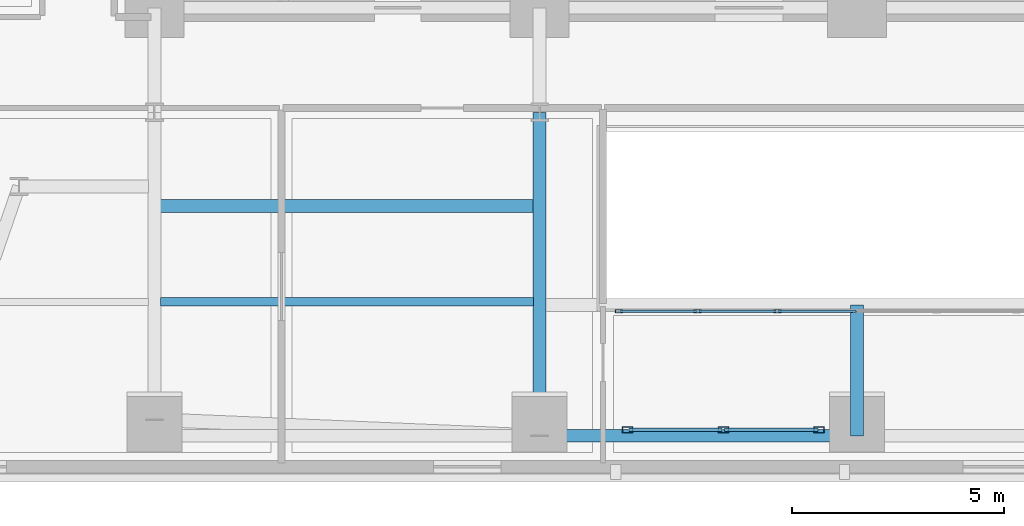
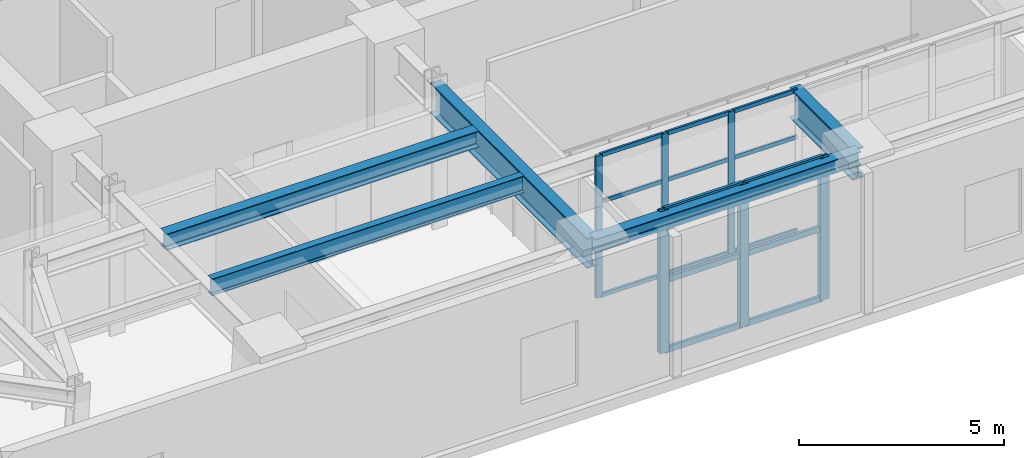
# One storey, part 2 of 14: 24 members, 5 beams, 2 elements without a shape of their own.
"""IFC4 building model written with IfcOpenShell, lengths in metres."""

from ifc_helpers import new_model, si_unit, direction, frame, origin, origin_2d, place, context, subcontext, project, spatial, hollow_rectangle, i_section, extrude, material, layer, layer_set, material_profile, profile_set, type_object, element, aggregate, save


model = new_model("IFC4")

# Units and contexts
model_context = context("Model", 3, precision=1e-05, world=origin(), true_north=direction((0.0, 1.0)))
body_context = subcontext(model_context, "Body", "Model", "MODEL_VIEW")
ifc_project = project(units=[si_unit("LENGTHUNIT", "METRE"), si_unit("AREAUNIT", "SQUARE_METRE"), si_unit("VOLUMEUNIT", "CUBIC_METRE"), si_unit("PLANEANGLEUNIT", "RADIAN"), si_unit("MASSUNIT", "GRAM", prefix="KILO")], contexts=[model_context])

# Site, building, storey
site_placement = place(None, origin())
site = spatial("IfcSite", under=ifc_project, at=site_placement, CompositionType="ELEMENT")
building_placement = place(site_placement, origin())
building = spatial("IfcBuilding", under=site, at=building_placement, Name="Zarnavel Station Tower", CompositionType="ELEMENT")
storey_placement = place(building_placement, frame((0.0, 0.0, 89.800048828125)))
storey = spatial("IfcBuildingStorey", under=building, at=storey_placement, Name="L24", CompositionType="ELEMENT", Elevation=89.800048828125)

# Curtain wall, members
ifc_material_1 = material(Name="Aluminium Dark Anodised and Solar-Control Glass", Category="aluminium")
ifc_layer_1 = layer(ifc_material_1, 0.179931640625)
ifc_layer_set_1 = layer_set([ifc_layer_1], Name="CWS3")
curtain_wall_type_1 = type_object("IfcCurtainWallType", Name="CWS3", PredefinedType="NOTDEFINED", material=ifc_layer_set_1)
curtain_wall_1_placement = place(storey_placement, origin())
curtain_wall_1 = element("IfcCurtainWall", 1, at=curtain_wall_1_placement, inside=storey, type_object=curtain_wall_type_1, Name="L24 Curtain Wall CWS3-L24-AS", PredefinedType="NOTDEFINED")
ifc_material_2 = material(Name="Steel S355J2 (Black Fluoropolymer Coated)", Category="steel")
ifc_material_profile_1 = material_profile(ifc_material_2, hollow_rectangle(XDim=0.080078125, YDim=0.179931640625, WallThickness=0.00634765625, at=origin_2d()), Name="RHS180x80x6.3")
ifc_profile_set_1 = profile_set([ifc_material_profile_1], Name="Steel S355J2 (Black Fluoropolymer Coated)")
member_type_1 = type_object("IfcMemberType", Name="CWS3_MUL", PredefinedType="MULLION", material=ifc_profile_set_1)
member_1_placement = place(storey_placement, frame((23.179931640625, 20.64990234375, 0.0), z_axis=(0.0, 0.0, 1.0), x_axis=(0.0, 1.0, 0.0)))
member_1 = element("IfcMember", 2, at=member_1_placement, type_object=member_type_1, Name="CW3 mullion 1", PredefinedType="MULLION", context=body_context, shape_type="SweptSolid", body=[
    extrude(hollow_rectangle(XDim=0.080078125, YDim=0.179931640625, WallThickness=0.00634765625, at=origin_2d()), origin(), (0.0, 0.0, 1.0), 4.239990234375),
])
member_2_placement = place(storey_placement, frame((25.033447265625, 20.64990234375, 0.0), z_axis=(0.0, 0.0, 1.0), x_axis=(0.0, 1.0, 0.0)))
member_2 = element("IfcMember", 3, at=member_2_placement, type_object=member_type_1, Name="CW3 mullion 2", PredefinedType="MULLION", context=body_context, shape_type="SweptSolid", body=[
    extrude(hollow_rectangle(XDim=0.080078125, YDim=0.179931640625, WallThickness=0.00634765625, at=origin_2d()), origin(), (0.0, 0.0, 1.0), 4.239990234375),
])
member_3_placement = place(storey_placement, frame((26.916748046875, 20.64990234375, 0.0), z_axis=(0.0, 0.0, 1.0), x_axis=(0.0, 1.0, 0.0)))
member_3 = element("IfcMember", 4, at=member_3_placement, type_object=member_type_1, Name="CW3 mullion 3", PredefinedType="MULLION", context=body_context, shape_type="SweptSolid", body=[
    extrude(hollow_rectangle(XDim=0.080078125, YDim=0.179931640625, WallThickness=0.00634765625, at=origin_2d()), origin(), (0.0, 0.0, 1.0), 4.239990234375),
])
ifc_material_3 = material(Name="Steel S355J2 (Black Fluoropolymer Coated)", Category="steel")
ifc_material_profile_2 = material_profile(ifc_material_3, hollow_rectangle(XDim=0.06005859375, YDim=0.1201171875, WallThickness=0.0048828125, at=origin_2d()), Name="RHS120x60x5")
ifc_profile_set_2 = profile_set([ifc_material_profile_2], Name="Steel S355J2 (Black Fluoropolymer Coated)")
member_type_2 = type_object("IfcMemberType", Name="CWS3_TRN", PredefinedType="USERDEFINED", material=ifc_profile_set_2)
member_4_placement = place(storey_placement, frame((23.2099609375, 20.64990234375, 0.030029296875), z_axis=(1.0, 0.0, 0.0), x_axis=(0.0, 1.0, 0.0)))
member_4 = element("IfcMember", 5, at=member_4_placement, type_object=member_type_2, Name="CW3 transom 1.1", ObjectType="TRANSOM", PredefinedType="USERDEFINED", context=body_context, shape_type="SweptSolid", body=[
    extrude(hollow_rectangle(XDim=0.06005859375, YDim=0.1201171875, WallThickness=0.0048828125, at=origin_2d()), origin(), (0.0, 0.0, 1.0), 1.79345703125),
])
member_5_placement = place(storey_placement, frame((23.2099609375, 20.64990234375, 1.413330078125), z_axis=(1.0, 0.0, 0.0), x_axis=(0.0, 1.0, 0.0)))
member_5 = element("IfcMember", 6, at=member_5_placement, type_object=member_type_2, Name="CW3 transom 1.2", ObjectType="TRANSOM", PredefinedType="USERDEFINED", context=body_context, shape_type="SweptSolid", body=[
    extrude(hollow_rectangle(XDim=0.06005859375, YDim=0.1201171875, WallThickness=0.0048828125, at=origin_2d()), origin(), (0.0, 0.0, 1.0), 1.79345703125),
])
member_6_placement = place(storey_placement, frame((23.2099609375, 20.64990234375, 2.82666015625), z_axis=(1.0, 0.0, 0.0), x_axis=(0.0, 1.0, 0.0)))
member_6 = element("IfcMember", 7, at=member_6_placement, type_object=member_type_2, Name="CW3 transom 1.3", ObjectType="TRANSOM", PredefinedType="USERDEFINED", context=body_context, shape_type="SweptSolid", body=[
    extrude(hollow_rectangle(XDim=0.06005859375, YDim=0.1201171875, WallThickness=0.0048828125, at=origin_2d()), origin(), (0.0, 0.0, 1.0), 1.79345703125),
])
member_7_placement = place(storey_placement, frame((23.2099609375, 20.64990234375, 4.2099609375), z_axis=(1.0, 0.0, 0.0), x_axis=(0.0, 1.0, 0.0)))
member_7 = element("IfcMember", 8, at=member_7_placement, type_object=member_type_2, Name="CW3 transom 1.4", ObjectType="TRANSOM", PredefinedType="USERDEFINED", context=body_context, shape_type="SweptSolid", body=[
    extrude(hollow_rectangle(XDim=0.06005859375, YDim=0.1201171875, WallThickness=0.0048828125, at=origin_2d()), origin(), (0.0, 0.0, 1.0), 1.79345703125),
])
member_8_placement = place(storey_placement, frame((25.063232421875, 20.64990234375, 0.030029296875), z_axis=(1.0, 0.0, 0.0), x_axis=(0.0, 1.0, 0.0)))
member_8 = element("IfcMember", 9, at=member_8_placement, type_object=member_type_2, Name="CW3 transom 2.1", ObjectType="TRANSOM", PredefinedType="USERDEFINED", context=body_context, shape_type="SweptSolid", body=[
    extrude(hollow_rectangle(XDim=0.06005859375, YDim=0.1201171875, WallThickness=0.0048828125, at=origin_2d()), origin(), (0.0, 0.0, 1.0), 1.823486328125),
])
member_9_placement = place(storey_placement, frame((25.063232421875, 20.64990234375, 1.413330078125), z_axis=(1.0, 0.0, 0.0), x_axis=(0.0, 1.0, 0.0)))
member_9 = element("IfcMember", 10, at=member_9_placement, type_object=member_type_2, Name="CW3 transom 2.2", ObjectType="TRANSOM", PredefinedType="USERDEFINED", context=body_context, shape_type="SweptSolid", body=[
    extrude(hollow_rectangle(XDim=0.06005859375, YDim=0.1201171875, WallThickness=0.0048828125, at=origin_2d()), origin(), (0.0, 0.0, 1.0), 1.823486328125),
])
member_10_placement = place(storey_placement, frame((25.063232421875, 20.64990234375, 2.82666015625), z_axis=(1.0, 0.0, 0.0), x_axis=(0.0, 1.0, 0.0)))
member_10 = element("IfcMember", 11, at=member_10_placement, type_object=member_type_2, Name="CW3 transom 2.3", ObjectType="TRANSOM", PredefinedType="USERDEFINED", context=body_context, shape_type="SweptSolid", body=[
    extrude(hollow_rectangle(XDim=0.06005859375, YDim=0.1201171875, WallThickness=0.0048828125, at=origin_2d()), origin(), (0.0, 0.0, 1.0), 1.823486328125),
])
member_11_placement = place(storey_placement, frame((25.063232421875, 20.64990234375, 4.2099609375), z_axis=(1.0, 0.0, 0.0), x_axis=(0.0, 1.0, 0.0)))
member_11 = element("IfcMember", 12, at=member_11_placement, type_object=member_type_2, Name="CW3 transom 2.4", ObjectType="TRANSOM", PredefinedType="USERDEFINED", context=body_context, shape_type="SweptSolid", body=[
    extrude(hollow_rectangle(XDim=0.06005859375, YDim=0.1201171875, WallThickness=0.0048828125, at=origin_2d()), origin(), (0.0, 0.0, 1.0), 1.823486328125),
])
member_12_placement = place(storey_placement, frame((26.94677734375, 20.64990234375, 0.030029296875), z_axis=(1.0, 0.0, 0.0), x_axis=(0.0, 1.0, 0.0)))
member_12 = element("IfcMember", 13, at=member_12_placement, type_object=member_type_2, Name="CW3 transom 3.1", ObjectType="TRANSOM", PredefinedType="USERDEFINED", context=body_context, shape_type="SweptSolid", body=[
    extrude(hollow_rectangle(XDim=0.06005859375, YDim=0.1201171875, WallThickness=0.0048828125, at=origin_2d()), origin(), (0.0, 0.0, 1.0), 1.8232421875),
])
member_13_placement = place(storey_placement, frame((26.94677734375, 20.64990234375, 1.413330078125), z_axis=(1.0, 0.0, 0.0), x_axis=(0.0, 1.0, 0.0)))
member_13 = element("IfcMember", 14, at=member_13_placement, type_object=member_type_2, Name="CW3 transom 3.2", ObjectType="TRANSOM", PredefinedType="USERDEFINED", context=body_context, shape_type="SweptSolid", body=[
    extrude(hollow_rectangle(XDim=0.06005859375, YDim=0.1201171875, WallThickness=0.0048828125, at=origin_2d()), origin(), (0.0, 0.0, 1.0), 1.8232421875),
])
member_14_placement = place(storey_placement, frame((26.94677734375, 20.64990234375, 2.82666015625), z_axis=(1.0, 0.0, 0.0), x_axis=(0.0, 1.0, 0.0)))
member_14 = element("IfcMember", 15, at=member_14_placement, type_object=member_type_2, Name="CW3 transom 3.3", ObjectType="TRANSOM", PredefinedType="USERDEFINED", context=body_context, shape_type="SweptSolid", body=[
    extrude(hollow_rectangle(XDim=0.06005859375, YDim=0.1201171875, WallThickness=0.0048828125, at=origin_2d()), origin(), (0.0, 0.0, 1.0), 1.8232421875),
])
member_15_placement = place(storey_placement, frame((26.94677734375, 20.64990234375, 4.2099609375), z_axis=(1.0, 0.0, 0.0), x_axis=(0.0, 1.0, 0.0)))
member_15 = element("IfcMember", 16, at=member_15_placement, type_object=member_type_2, Name="CW3 transom 3.4", ObjectType="TRANSOM", PredefinedType="USERDEFINED", context=body_context, shape_type="SweptSolid", body=[
    extrude(hollow_rectangle(XDim=0.06005859375, YDim=0.1201171875, WallThickness=0.0048828125, at=origin_2d()), origin(), (0.0, 0.0, 1.0), 1.8232421875),
])
aggregate(curtain_wall_1, [member_1, member_2, member_3, member_4, member_5, member_6, member_7, member_8, member_9, member_10, member_11, member_12, member_13, member_14, member_15])

ifc_material_4 = material(Name="Aluminium Dark Anodised and Solar-Control Glass", Category="aluminium")
ifc_layer_2 = layer(ifc_material_4, 0.179931640625)
ifc_layer_set_2 = layer_set([ifc_layer_2], Name="CWS6")
curtain_wall_type_2 = type_object("IfcCurtainWallType", Name="CWS6", PredefinedType="NOTDEFINED", material=ifc_layer_set_2)
curtain_wall_2_placement = place(storey_placement, origin())
curtain_wall_2 = element("IfcCurtainWall", 17, at=curtain_wall_2_placement, inside=storey, type_object=curtain_wall_type_2, Name="L24 Curtain Wall CWS6-LOG-L24", PredefinedType="NOTDEFINED")
ifc_material_5 = material(Name="Steel S355J2 (Black Fluoropolymer Coated)", Category="steel")
ifc_material_profile_3 = material_profile(ifc_material_5, hollow_rectangle(XDim=0.14990234375, YDim=0.25, WallThickness=0.010009765625, at=origin_2d()), Name="RHS250x150x10")
ifc_profile_set_3 = profile_set([ifc_material_profile_3], Name="Steel S355J2 (Black Fluoropolymer Coated)")
member_type_3 = type_object("IfcMemberType", Name="CWS6_MUL", PredefinedType="MULLION", material=ifc_profile_set_3)
member_16_placement = place(storey_placement, frame((23.3798828125, 17.85009765625, 0.0), z_axis=(0.0, 0.0, 1.0), x_axis=(0.0, 1.0, 0.0)))
member_16 = element("IfcMember", 18, at=member_16_placement, type_object=member_type_3, Name="CW6 mullion 1", PredefinedType="MULLION", context=body_context, shape_type="SweptSolid", body=[
    extrude(hollow_rectangle(XDim=0.14990234375, YDim=0.25, WallThickness=0.010009765625, at=origin_2d()), origin(), (0.0, 0.0, 1.0), 4.239990234375),
])
member_17_placement = place(storey_placement, frame((25.64111328125, 17.85009765625, 0.0), z_axis=(0.0, 0.0, 1.0), x_axis=(0.0, 1.0, 0.0)))
member_17 = element("IfcMember", 19, at=member_17_placement, type_object=member_type_3, Name="CW6 mullion 2", PredefinedType="MULLION", context=body_context, shape_type="SweptSolid", body=[
    extrude(hollow_rectangle(XDim=0.14990234375, YDim=0.25, WallThickness=0.010009765625, at=origin_2d()), origin(), (0.0, 0.0, 1.0), 4.239990234375),
])
member_18_placement = place(storey_placement, frame((27.902099609375, 17.85009765625, 0.0), z_axis=(0.0, 0.0, 1.0), x_axis=(0.0, 1.0, 0.0)))
member_18 = element("IfcMember", 20, at=member_18_placement, type_object=member_type_3, Name="CW6 mullion 3", PredefinedType="MULLION", context=body_context, shape_type="SweptSolid", body=[
    extrude(hollow_rectangle(XDim=0.14990234375, YDim=0.25, WallThickness=0.010009765625, at=origin_2d()), origin(), (0.0, 0.0, 1.0), 4.239990234375),
])
ifc_material_6 = material(Name="Steel S355J2 (Black Fluoropolymer Coated)", Category="steel")
ifc_material_profile_4 = material_profile(ifc_material_6, hollow_rectangle(XDim=0.080078125, YDim=0.179931640625, WallThickness=0.00634765625, at=origin_2d()), Name="RHS180x80x6.3")
ifc_profile_set_4 = profile_set([ifc_material_profile_4], Name="Steel S355J2 (Black Fluoropolymer Coated)")
member_type_4 = type_object("IfcMemberType", Name="CWS6_TRN", PredefinedType="USERDEFINED", material=ifc_profile_set_4)
member_19_placement = place(storey_placement, frame((23.409912109375, 17.85009765625, 0.030029296875), z_axis=(1.0, 0.0, 0.0), x_axis=(0.0, 1.0, 0.0)))
member_19 = element("IfcMember", 21, at=member_19_placement, type_object=member_type_4, Name="CW6 transom 1.1", ObjectType="TRANSOM", PredefinedType="USERDEFINED", context=body_context, shape_type="SweptSolid", body=[
    extrude(hollow_rectangle(XDim=0.080078125, YDim=0.179931640625, WallThickness=0.00634765625, at=origin_2d()), origin(), (0.0, 0.0, 1.0), 2.201171875),
])
member_20_placement = place(storey_placement, frame((23.409912109375, 17.85009765625, 2.119873046875), z_axis=(1.0, 0.0, 0.0), x_axis=(0.0, 1.0, 0.0)))
member_20 = element("IfcMember", 22, at=member_20_placement, type_object=member_type_4, Name="CW6 transom 1.2", ObjectType="TRANSOM", PredefinedType="USERDEFINED", context=body_context, shape_type="SweptSolid", body=[
    extrude(hollow_rectangle(XDim=0.080078125, YDim=0.179931640625, WallThickness=0.00634765625, at=origin_2d()), origin(), (0.0, 0.0, 1.0), 2.201171875),
])
member_21_placement = place(storey_placement, frame((23.409912109375, 17.85009765625, 4.2099609375), z_axis=(1.0, 0.0, 0.0), x_axis=(0.0, 1.0, 0.0)))
member_21 = element("IfcMember", 23, at=member_21_placement, type_object=member_type_4, Name="CW6 transom 1.3", ObjectType="TRANSOM", PredefinedType="USERDEFINED", context=body_context, shape_type="SweptSolid", body=[
    extrude(hollow_rectangle(XDim=0.080078125, YDim=0.179931640625, WallThickness=0.00634765625, at=origin_2d()), origin(), (0.0, 0.0, 1.0), 2.201171875),
])
member_22_placement = place(storey_placement, frame((25.6708984375, 17.85009765625, 0.030029296875), z_axis=(1.0, 0.0, 0.0), x_axis=(0.0, 1.0, 0.0)))
member_22 = element("IfcMember", 24, at=member_22_placement, type_object=member_type_4, Name="CW6 transom 2.1", ObjectType="TRANSOM", PredefinedType="USERDEFINED", context=body_context, shape_type="SweptSolid", body=[
    extrude(hollow_rectangle(XDim=0.080078125, YDim=0.179931640625, WallThickness=0.00634765625, at=origin_2d()), origin(), (0.0, 0.0, 1.0), 2.201171875),
])
member_23_placement = place(storey_placement, frame((25.6708984375, 17.85009765625, 2.119873046875), z_axis=(1.0, 0.0, 0.0), x_axis=(0.0, 1.0, 0.0)))
member_23 = element("IfcMember", 25, at=member_23_placement, type_object=member_type_4, Name="CW6 transom 2.2", ObjectType="TRANSOM", PredefinedType="USERDEFINED", context=body_context, shape_type="SweptSolid", body=[
    extrude(hollow_rectangle(XDim=0.080078125, YDim=0.179931640625, WallThickness=0.00634765625, at=origin_2d()), origin(), (0.0, 0.0, 1.0), 2.201171875),
])
member_24_placement = place(storey_placement, frame((25.6708984375, 17.85009765625, 4.2099609375), z_axis=(1.0, 0.0, 0.0), x_axis=(0.0, 1.0, 0.0)))
member_24 = element("IfcMember", 26, at=member_24_placement, type_object=member_type_4, Name="CW6 transom 2.3", ObjectType="TRANSOM", PredefinedType="USERDEFINED", context=body_context, shape_type="SweptSolid", body=[
    extrude(hollow_rectangle(XDim=0.080078125, YDim=0.179931640625, WallThickness=0.00634765625, at=origin_2d()), origin(), (0.0, 0.0, 1.0), 2.201171875),
])
aggregate(curtain_wall_2, [member_16, member_17, member_18, member_19, member_20, member_21, member_22, member_23, member_24])

# Beams
ifc_material_7 = material(Name="Steel S355J2", Category="steel")
ifc_material_profile_5 = material_profile(ifc_material_7, i_section(OverallWidth=0.300048828125, OverallDepth=0.39990234375, WebThickness=0.013427734375, FlangeThickness=0.02392578125, FilletRadius=0.027099609375, at=origin_2d()), Name="HEB400")
ifc_profile_set_5 = profile_set([ifc_material_profile_5], Name="Steel S355J2")
beam_type_1 = type_object("IfcBeamType", Name="EB_HEB400", PredefinedType="SPANDREL", material=ifc_profile_set_5)
beam_1_placement = place(storey_placement, frame((21.300048828125, 17.7060546875, 4.0400390625), z_axis=(1.0, 0.0, 0.0), x_axis=(0.0, 1.0, 0.0)))
element("IfcBeam", 27, at=beam_1_placement, inside=storey, type_object=beam_type_1, Name="L24 South Raked Spandrel 2", PredefinedType="SPANDREL", context=body_context, shape_type="SweptSolid", body=[
    extrude(i_section(OverallWidth=0.300048828125, OverallDepth=0.39990234375, WebThickness=0.013427734375, FlangeThickness=0.02392578125, FilletRadius=0.027099609375, at=origin_2d()), origin(), (0.0, 0.0, 1.0), 7.5),
])
ifc_material_8 = material(Name="Steel S355J2", Category="steel")
ifc_material_profile_6 = material_profile(ifc_material_8, i_section(OverallWidth=0.300048828125, OverallDepth=0.489990234375, WebThickness=0.011962890625, FlangeThickness=0.02294921875, FilletRadius=0.027099609375, at=origin_2d()), Name="HEA500")
ifc_profile_set_6 = profile_set([ifc_material_profile_6], Name="Steel S355J2")
beam_type_2 = type_object("IfcBeamType", Name="FB_HEA500", PredefinedType="BEAM", material=ifc_profile_set_6)
beam_2_placement = place(storey_placement, frame((12.344970703125, 23.135498046875, 3.994873046875), z_axis=(1.0, 0.0, 0.0), x_axis=(0.0, 1.0, 0.0)))
element("IfcBeam", 28, at=beam_2_placement, inside=storey, type_object=beam_type_2, Name="L24 West Bay Beam 2", PredefinedType="BEAM", context=body_context, shape_type="SweptSolid", body=[
    extrude(i_section(OverallWidth=0.300048828125, OverallDepth=0.489990234375, WebThickness=0.011962890625, FlangeThickness=0.02294921875, FilletRadius=0.027099609375, at=origin_2d()), origin(), (0.0, 0.0, 1.0), 8.81005859375),
])
ifc_material_9 = material(Name="Steel S355J2", Category="steel")
ifc_material_profile_7 = material_profile(ifc_material_9, i_section(OverallWidth=0.199951171875, OverallDepth=0.5, WebThickness=0.01025390625, FlangeThickness=0.01611328125, FilletRadius=0.02099609375, at=origin_2d()), Name="IPE500")
ifc_profile_set_7 = profile_set([ifc_material_profile_7], Name="Steel S355J2")
beam_type_3 = type_object("IfcBeamType", Name="FB_IPE500", PredefinedType="BEAM", material=ifc_profile_set_7)
beam_3_placement = place(storey_placement, frame((12.344970703125, 20.87060546875, 3.989990234375), z_axis=(1.0, 0.0, 0.0), x_axis=(0.0, 1.0, 0.0)))
element("IfcBeam", 29, at=beam_3_placement, inside=storey, type_object=beam_type_3, Name="L24 West Bay Beam 1", PredefinedType="BEAM", context=body_context, shape_type="SweptSolid", body=[
    extrude(i_section(OverallWidth=0.199951171875, OverallDepth=0.5, WebThickness=0.01025390625, FlangeThickness=0.01611328125, FilletRadius=0.02099609375, at=origin_2d()), origin(), (0.0, 0.0, 1.0), 8.81005859375),
])
ifc_material_10 = material(Name="Steel S460M", Category="steel")
ifc_material_profile_8 = material_profile(ifc_material_10, i_section(OverallWidth=0.302001953125, OverallDepth=0.909912109375, WebThickness=0.02099609375, FlangeThickness=0.0400390625, FilletRadius=0.030029296875, at=origin_2d()), Name="HEM900")
ifc_profile_set_8 = profile_set([ifc_material_profile_8], Name="Steel S460M")
beam_type_4 = type_object("IfcBeamType", Name="TG_HEM900", PredefinedType="USERDEFINED", material=ifc_profile_set_8)
beam_4_placement = place(storey_placement, frame((21.300048828125, 17.7060546875, 3.784912109375), z_axis=(0.0, 1.0, 0.0), x_axis=(-1.0, 0.0, 0.0)))
element("IfcBeam", 30, at=beam_4_placement, inside=storey, type_object=beam_type_4, Name="L24 South-Zone NS Girder 2", ObjectType="GIRDER", PredefinedType="USERDEFINED", context=body_context, shape_type="SweptSolid", body=[
    extrude(i_section(OverallWidth=0.302001953125, OverallDepth=0.909912109375, WebThickness=0.02099609375, FlangeThickness=0.0400390625, FilletRadius=0.030029296875, at=origin_2d()), origin(), (0.0, 0.0, 1.0), 7.64404296875),
])
beam_5_placement = place(storey_placement, frame((28.800048828125, 17.7060546875, 3.784912109375), z_axis=(0.0, 1.0, 0.0), x_axis=(-1.0, 0.0, 0.0)))
element("IfcBeam", 31, at=beam_5_placement, inside=storey, type_object=beam_type_4, Name="L24 Central Atrium-South Girder", ObjectType="GIRDER", PredefinedType="USERDEFINED", context=body_context, shape_type="SweptSolid", body=[
    extrude(i_section(OverallWidth=0.302001953125, OverallDepth=0.909912109375, WebThickness=0.02099609375, FlangeThickness=0.0400390625, FilletRadius=0.030029296875, at=origin_2d()), origin(), (0.0, 0.0, 1.0), 3.093994140625),
])

save(model, "model.ifc")
